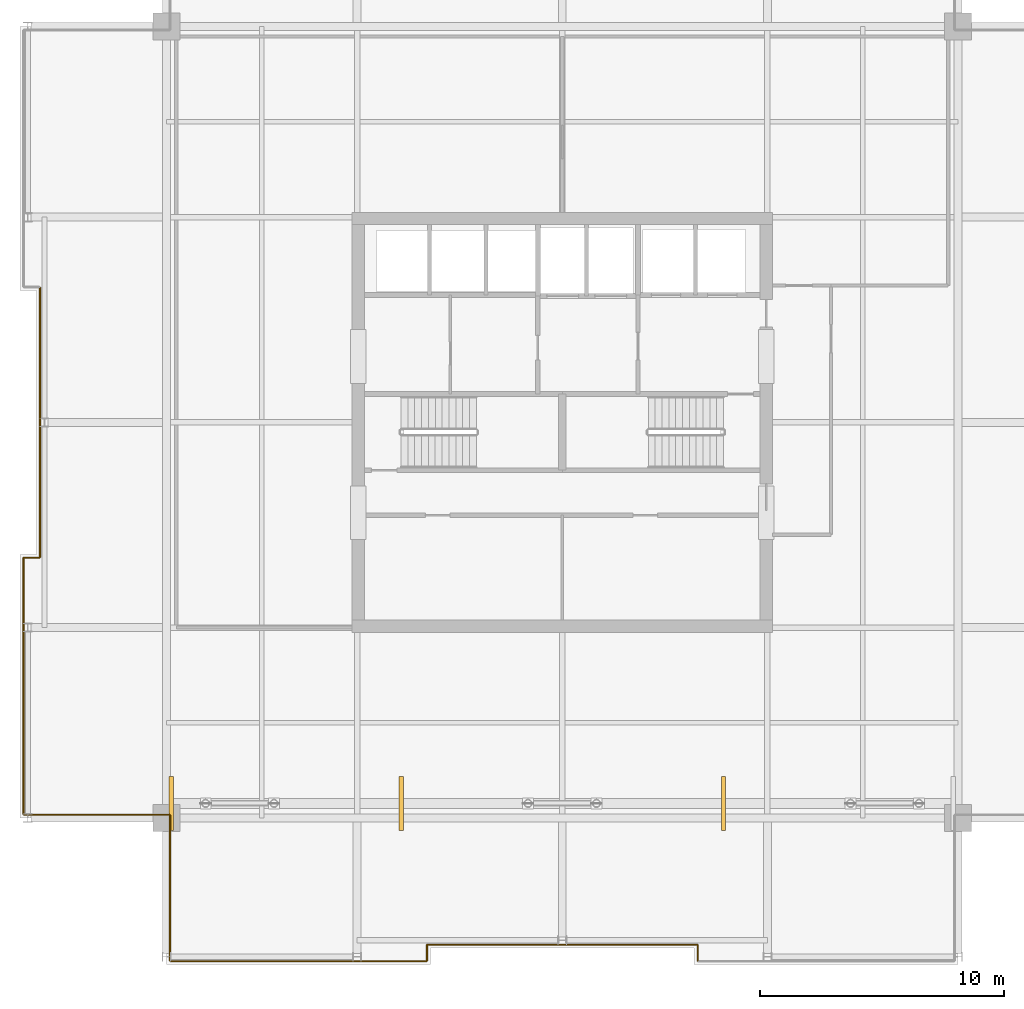
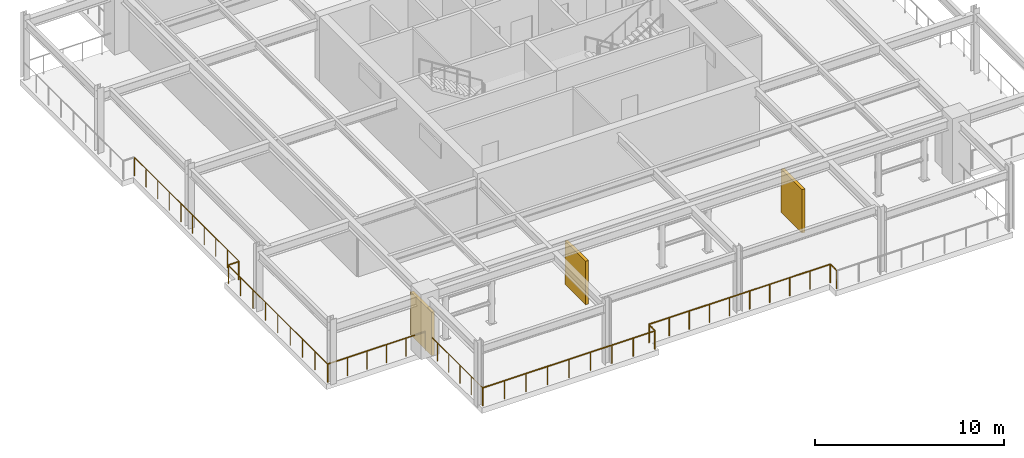
# One storey, part 11 of 13: 9 railings, 3 shading devices.
"""IFC4 building model written with IfcOpenShell, lengths in metres."""

import ifcopenshell
import ifcopenshell.guid

model = None  # the IFC model being written
_history = None  # IfcOwnerHistory: only IFC2X3 demands one
_inside = {}  # id of a spatial element -> (the spatial element, [elements in it])
_under = {}  # id of a project, library or spatial element -> (it, [spatial elements below it])
_declared = {}  # id of a project -> (the project, [libraries it declares])
_typed = {}  # id of a type object -> (the type object, [elements of that type])
_made_of = {}  # id of a material, layer set ... -> (it, [elements and type objects made of it])


def new_model(schema):
    """Start an empty IFC model of exactly this schema.

    Asked for "IFC4X3", IfcOpenShell would pick the latest addendum, in which some entities
    have other attributes; the version numbers below select the first issue.
    IFC2X3 requires an IfcOwnerHistory on every rooted entity: one is made here for all.
    """
    global model, _history
    if schema == "IFC4X3":
        model = ifcopenshell.file(schema_version=(4, 3, 0, 0))
    else:
        model = ifcopenshell.file(schema=schema)
    _inside.clear()
    _under.clear()
    _declared.clear()
    _typed.clear()
    _made_of.clear()
    _history = None
    if model.schema == "IFC2X3":
        org = make("IfcOrganization", Name="unknown")
        user = make(
            "IfcPersonAndOrganization",
            ThePerson=make("IfcPerson", FamilyName="unknown"),
            TheOrganization=org,
        )
        app = make(
            "IfcApplication",
            ApplicationDeveloper=org,
            Version="unknown",
            ApplicationFullName="unknown",
            ApplicationIdentifier="unknown",
        )
        _history = make(
            "IfcOwnerHistory",
            OwningUser=user,
            OwningApplication=app,
            ChangeAction="ADDED",
            CreationDate=0,
        )
    return model


def make(cls, **values):
    """One entity of the class cls with the attributes given. An attribute that is None is left unset."""
    return model.create_entity(
        cls, **{name: value for name, value in values.items() if value is not None}
    )


def rooted(cls, **values):
    """An entity with a GlobalId (a new one), such as an element, a storey or a relation."""
    return make(cls, GlobalId=ifcopenshell.guid.new(), OwnerHistory=_history, **values)


def si_unit(unit_type, name, prefix=None):
    """IfcSIUnit, for example si_unit("LENGTHUNIT", "METRE", prefix="MILLI")."""
    return make("IfcSIUnit", UnitType=unit_type, Prefix=prefix, Name=name)


def assignment(units):
    """IfcUnitAssignment: the units of a project."""
    return None if units is None else make("IfcUnitAssignment", Units=units)


def point(xyz):
    """IfcCartesianPoint."""
    return None if xyz is None else make("IfcCartesianPoint", Coordinates=xyz)


def direction(xyz):
    """IfcDirection."""
    return None if xyz is None else make("IfcDirection", DirectionRatios=xyz)


def frame(location, z_axis=None, x_axis=None):
    """IfcAxis2Placement3D, a coordinate frame: its origin and axes. An axis left out is left unset."""
    return make(
        "IfcAxis2Placement3D",
        Location=point(location),
        Axis=direction(z_axis),
        RefDirection=direction(x_axis),
    )


def frame_2d(location, x_axis=None):
    """IfcAxis2Placement2D, a coordinate frame in the plane: its origin and x axis."""
    return make(
        "IfcAxis2Placement2D", Location=point(location), RefDirection=direction(x_axis)
    )


def origin():
    """The frame at (0, 0, 0) with its axes left unset."""
    return frame((0.0, 0.0, 0.0))


def origin_2d():
    """The frame at (0, 0) in the plane with its x axis left unset."""
    return frame_2d((0.0, 0.0))


def place(relative_to, where):
    """IfcLocalPlacement: puts the frame where relative to a parent placement (None: the world)."""
    return make(
        "IfcLocalPlacement", PlacementRelTo=relative_to, RelativePlacement=where
    )


def context(
    kind, dimensions, precision=None, world=None, true_north=None, identifier=None
):
    """IfcGeometricRepresentationContext, for example the 3D "Model" context."""
    return make(
        "IfcGeometricRepresentationContext",
        ContextIdentifier=identifier,
        ContextType=kind,
        CoordinateSpaceDimension=dimensions,
        Precision=precision,
        WorldCoordinateSystem=world,
        TrueNorth=true_north,
    )


def subcontext(parent, identifier, kind, view, scale=None):
    """IfcGeometricRepresentationSubContext, for example "Body" below "Model"."""
    return make(
        "IfcGeometricRepresentationSubContext",
        ContextIdentifier=identifier,
        ContextType=kind,
        ParentContext=parent,
        TargetScale=scale,
        TargetView=view,
    )


def project(units=None, contexts=None):
    """IfcProject with its units and contexts."""
    return rooted(
        "IfcProject",
        Name="project",
        RepresentationContexts=contexts,
        UnitsInContext=assignment(units),
    )


def spatial(cls, under=None, at=None, **own):
    """A site, building, storey or space (cls), placed at a placement, below another one or the project."""
    s = rooted(cls, ObjectPlacement=at, **own)
    if under is not None:
        _under.setdefault(under.id(), (under, []))[1].append(s)
    return s


def profile(cls, at=None, kind="AREA", **sizes):
    """A parametric profile (cls). Its sizes go by their IFC names, for example OverallWidth=200.0."""
    return make(cls, ProfileType=kind, Position=at, **sizes)


def rectangle(**sizes):
    """IfcRectangleProfileDef."""
    return profile("IfcRectangleProfileDef", **sizes)


def circle(**sizes):
    """IfcCircleProfileDef."""
    return profile("IfcCircleProfileDef", **sizes)


def extrude(swept, where, along, depth):
    """IfcExtrudedAreaSolid: the profile swept, set in the frame where, extruded along a direction by depth."""
    return make(
        "IfcExtrudedAreaSolid",
        SweptArea=swept,
        Position=where,
        ExtrudedDirection=direction(along),
        Depth=depth,
    )


def shape(context_of_items, identifier, shape_type, items):
    """IfcShapeRepresentation: the items that make up one representation, for example the "Body"."""
    return make(
        "IfcShapeRepresentation",
        ContextOfItems=context_of_items,
        RepresentationIdentifier=identifier,
        RepresentationType=shape_type,
        Items=items,
    )


def material(Name=None, Category=None):
    """IfcMaterial."""
    return make("IfcMaterial", Name=Name, Category=Category)


def layer(
    of_material, thickness, ventilated=None, Name=None, Category=None, Priority=None
):
    """IfcMaterialLayer: one layer of a wall or slab, of a material (None: an air gap)."""
    return make(
        "IfcMaterialLayer",
        Material=of_material,
        LayerThickness=thickness,
        IsVentilated=ventilated,
        Name=Name,
        Category=Category,
        Priority=Priority,
    )


def layer_set(layers, Name=None):
    """IfcMaterialLayerSet."""
    return make("IfcMaterialLayerSet", MaterialLayers=layers, LayerSetName=Name)


def made_of(thing, what):
    """Note that an element or type object is made of a material, layer set ...; save() writes the relation."""
    if what is not None:
        _made_of.setdefault(what.id(), (what, []))[1].append(thing)
    return thing


def type_object(cls, material=None, **own):
    """A type object (cls), such as IfcWallType, which elements share."""
    return made_of(rooted(cls, **own), material)


def element(
    cls,
    number,
    at=None,
    inside=None,
    cuts=None,
    type_object=None,
    material=None,
    context=None,
    identifier="Body",
    shape_type=None,
    held_by="IfcProductDefinitionShape",
    body=None,
    shapes=None,
    **own,
):
    """One element of the class cls, such as IfcWall. Its Tag is "e" and its number.

    at: its placement. inside: the storey or other place that contains it. cuts: it is an
    opening in that element (IfcRelVoidsElement). A single representation is given by context,
    identifier, shape_type and body (its items); several are given by shapes. held_by: the class
    of the entity that holds the representations. save() writes the other relations.
    """
    e = rooted(cls, Tag="e%d" % number, ObjectPlacement=at, **own)
    if body is not None:
        shapes = [shape(context, identifier, shape_type, body)]
    if shapes is not None:
        e.Representation = make(held_by, Representations=shapes)
    if inside is not None:
        _inside.setdefault(inside.id(), (inside, []))[1].append(e)
    if cuts is not None:
        rooted(
            "IfcRelVoidsElement", RelatingBuildingElement=cuts, RelatedOpeningElement=e
        )
    if type_object is not None:
        _typed.setdefault(type_object.id(), (type_object, []))[1].append(e)
    return made_of(e, material)


def aggregate(whole, parts):
    """IfcRelAggregates: a whole, such as a stair, and the parts it consists of."""
    return rooted("IfcRelAggregates", RelatingObject=whole, RelatedObjects=parts)


def save(model, path):
    """Write the relations noted so far, then the file.

    IfcRelAggregates (storeys below a building ...), IfcRelContainedInSpatialStructure (elements
    in a storey), IfcRelDefinesByType, IfcRelAssociatesMaterial and IfcRelDeclares: one each for
    every whole, place, type object, material and project.
    """
    for whole, parts in _under.values():
        aggregate(whole, parts)
    for where, things in _inside.values():
        rooted(
            "IfcRelContainedInSpatialStructure",
            RelatedElements=things,
            RelatingStructure=where,
        )
    for kind, things in _typed.values():
        rooted("IfcRelDefinesByType", RelatedObjects=things, RelatingType=kind)
    for what, things in _made_of.values():
        rooted("IfcRelAssociatesMaterial", RelatedObjects=things, RelatingMaterial=what)
    for by, libraries in _declared.values():
        rooted("IfcRelDeclares", RelatingContext=by, RelatedDefinitions=libraries)
    model.write(path)


model = new_model("IFC4")

# Units and contexts
model_context = context("Model", 3, precision=1e-05, world=origin(), true_north=direction((0.0, 1.0)))
body_context = subcontext(model_context, "Body", "Model", "MODEL_VIEW")
ifc_project = project(units=[si_unit("LENGTHUNIT", "METRE"), si_unit("AREAUNIT", "SQUARE_METRE"), si_unit("VOLUMEUNIT", "CUBIC_METRE"), si_unit("PLANEANGLEUNIT", "RADIAN"), si_unit("MASSUNIT", "GRAM", prefix="KILO")], contexts=[model_context])

# Site, building, storey
site_placement = place(None, origin())
site = spatial("IfcSite", under=ifc_project, at=site_placement, CompositionType="ELEMENT")
building_placement = place(site_placement, origin())
building = spatial("IfcBuilding", under=site, at=building_placement, Name="Drelvath Grand Hotel", CompositionType="ELEMENT")
storey_placement = place(building_placement, frame((0.0, 0.0, 303.0)))
storey = spatial("IfcBuildingStorey", under=building, at=storey_placement, Name="L79", CompositionType="ELEMENT", Elevation=303.0)

# Shading devices
ifc_material_1 = material(Name="Pale-Metal Anodised Aluminium Louvre", Category="aluminium")
ifc_layer = layer(ifc_material_1, 0.179931640625)
ifc_layer_set = layer_set([ifc_layer], Name="Pale-Metal Anodised Aluminium Louvre")
shading_device_type = type_object("IfcShadingDeviceType", Name="Mechanical Acoustic Weather Louvre Pale-Metal 180", PredefinedType="USERDEFINED", material=ifc_layer_set)
for number, where, z_axis, x_axis, name in (
    (1, (-16.0, 11.39990234375, 0.0), (0.0, 0.0, 1.0), (1.0, 0.0, 0.0), "L79 Wind-Turbine Acoustic Shroud Louvre 1"),
    (2, (-6.60009765625, 11.39990234375, 0.0), (0.0, 0.0, 1.0), (1.0, 0.0, 0.0), "L79 Wind-Turbine Acoustic Shroud Louvre 2"),
    (3, (6.60009765625, 11.39990234375, 0.0), (0.0, 0.0, 1.0), (1.0, 0.0, 0.0), "L79 Wind-Turbine Acoustic Shroud Louvre 3"),
):
    element("IfcShadingDevice", number, at=place(storey_placement, frame(where, z_axis=z_axis, x_axis=x_axis)), inside=storey, type_object=shading_device_type, Name=name, ObjectType="LOUVRE", PredefinedType="USERDEFINED", context=body_context, shape_type="SweptSolid", body=[
        extrude(rectangle(XDim=0.179931640625, YDim=2.199951171875, at=origin_2d()), origin(), (0.0, 0.0, 1.0), 2.800048828125),
    ])

# Railings
ifc_material_2 = material(Name="Stainless Steel Grade 316 Guardrail", Category="steel")
railing_type = type_object("IfcRailingType", Name="Open Wind-Slot Perimeter Guardrail 1200", PredefinedType="GUARDRAIL", material=ifc_material_2)
railing_1_placement = place(storey_placement, frame((-16.06005859375, 4.9619140625, 0.0)))
element("IfcRailing", 4, at=railing_1_placement, inside=storey, type_object=railing_type, Name="L79 Open Wind-Turbine Deck Perimeter Guardrail E01", PredefinedType="GUARDRAIL", context=body_context, shape_type="SweptSolid", body=[
    extrude(circle(Radius=0.02392578125, at=origin_2d()), frame((0.0, 0.0, 1.17578125), z_axis=(0.0, 1.0, 0.0), x_axis=(-1.0, 0.0, 0.0)), (0.0, 0.0, 1.0), 5.9560546875),
    extrude(circle(Radius=0.02099609375, at=origin_2d()), origin(), (0.0, 0.0, 1.0), 1.15185546875),
    extrude(circle(Radius=0.02099609375, at=origin_2d()), frame((0.0, 1.191162109375, 0.0)), (0.0, 0.0, 1.0), 1.15185546875),
    extrude(circle(Radius=0.02099609375, at=origin_2d()), frame((0.0, 2.38232421875, 0.0)), (0.0, 0.0, 1.0), 1.15185546875),
    extrude(circle(Radius=0.02099609375, at=origin_2d()), frame((0.0, 3.57373046875, 0.0)), (0.0, 0.0, 1.0), 1.15185546875),
    extrude(circle(Radius=0.02099609375, at=origin_2d()), frame((0.0, 4.764892578125, 0.0)), (0.0, 0.0, 1.0), 1.15185546875),
    extrude(circle(Radius=0.02099609375, at=origin_2d()), frame((0.0, 5.9560546875, 0.0)), (0.0, 0.0, 1.0), 1.15185546875),
])
railing_2_placement = place(storey_placement, frame((-16.08203125, 10.93994140625, 0.0)))
element("IfcRailing", 5, at=railing_2_placement, inside=storey, type_object=railing_type, Name="L79 Open Wind-Turbine Deck Perimeter Guardrail E02", PredefinedType="GUARDRAIL", context=body_context, shape_type="SweptSolid", body=[
    extrude(circle(Radius=0.02392578125, at=origin_2d()), frame((0.0, 0.0, 1.17578125), z_axis=(-1.0, 0.0, 0.0), x_axis=(0.0, -1.0, 0.0)), (0.0, 0.0, 1.0), 5.9560546875),
    extrude(circle(Radius=0.02099609375, at=origin_2d()), origin(), (0.0, 0.0, 1.0), 1.15185546875),
    extrude(circle(Radius=0.02099609375, at=origin_2d()), frame((-1.191162109375, 0.0, 0.0)), (0.0, 0.0, 1.0), 1.15185546875),
    extrude(circle(Radius=0.02099609375, at=origin_2d()), frame((-2.38232421875, 0.0, 0.0)), (0.0, 0.0, 1.0), 1.15185546875),
    extrude(circle(Radius=0.02099609375, at=origin_2d()), frame((-3.57373046875, 0.0, 0.0)), (0.0, 0.0, 1.0), 1.15185546875),
    extrude(circle(Radius=0.02099609375, at=origin_2d()), frame((-4.764892578125, 0.0, 0.0)), (0.0, 0.0, 1.0), 1.15185546875),
    extrude(circle(Radius=0.02099609375, at=origin_2d()), frame((-5.9560546875, 0.0, 0.0)), (0.0, 0.0, 1.0), 1.15185546875),
])
railing_3_placement = place(storey_placement, frame((-22.06005859375, 10.9619140625, 0.0)))
element("IfcRailing", 6, at=railing_3_placement, inside=storey, type_object=railing_type, Name="L79 Open Wind-Turbine Deck Perimeter Guardrail E03", PredefinedType="GUARDRAIL", context=body_context, shape_type="SweptSolid", body=[
    extrude(circle(Radius=0.02392578125, at=origin_2d()), frame((0.0, 0.0, 1.17578125), z_axis=(0.0, 1.0, 0.0), x_axis=(-1.0, 0.0, 0.0)), (0.0, 0.0, 1.0), 10.47607421875),
    extrude(circle(Radius=0.02099609375, at=origin_2d()), origin(), (0.0, 0.0, 1.0), 1.15185546875),
    extrude(circle(Radius=0.02099609375, at=origin_2d()), frame((0.0, 1.3095703125, 0.0)), (0.0, 0.0, 1.0), 1.15185546875),
    extrude(circle(Radius=0.02099609375, at=origin_2d()), frame((0.0, 2.619140625, 0.0)), (0.0, 0.0, 1.0), 1.15185546875),
    extrude(circle(Radius=0.02099609375, at=origin_2d()), frame((0.0, 3.928466796875, 0.0)), (0.0, 0.0, 1.0), 1.15185546875),
    extrude(circle(Radius=0.02099609375, at=origin_2d()), frame((0.0, 5.238037109375, 0.0)), (0.0, 0.0, 1.0), 1.15185546875),
    extrude(circle(Radius=0.02099609375, at=origin_2d()), frame((0.0, 6.547607421875, 0.0)), (0.0, 0.0, 1.0), 1.15185546875),
    extrude(circle(Radius=0.02099609375, at=origin_2d()), frame((0.0, 7.85693359375, 0.0)), (0.0, 0.0, 1.0), 1.15185546875),
    extrude(circle(Radius=0.02099609375, at=origin_2d()), frame((0.0, 9.16650390625, 0.0)), (0.0, 0.0, 1.0), 1.15185546875),
    extrude(circle(Radius=0.02099609375, at=origin_2d()), frame((0.0, 10.47607421875, 0.0)), (0.0, 0.0, 1.0), 1.15185546875),
])
railing_4_placement = place(storey_placement, frame((-22.0380859375, 21.4599609375, 0.0)))
element("IfcRailing", 7, at=railing_4_placement, inside=storey, type_object=railing_type, Name="L79 Open Wind-Turbine Deck Perimeter Guardrail E04", PredefinedType="GUARDRAIL", context=body_context, shape_type="SweptSolid", body=[
    extrude(circle(Radius=0.02392578125, at=origin_2d()), frame((0.0, 0.0, 1.17578125), z_axis=(1.0, 0.0, 0.0), x_axis=(0.0, 1.0, 0.0)), (0.0, 0.0, 1.0), 0.635986328125),
    extrude(circle(Radius=0.02099609375, at=origin_2d()), origin(), (0.0, 0.0, 1.0), 1.15185546875),
    extrude(circle(Radius=0.02099609375, at=origin_2d()), frame((0.635986328125, 0.0, 0.0)), (0.0, 0.0, 1.0), 1.15185546875),
])
railing_5_placement = place(storey_placement, frame((-21.3798828125, 21.48193359375, 0.0)))
element("IfcRailing", 8, at=railing_5_placement, inside=storey, type_object=railing_type, Name="L79 Open Wind-Turbine Deck Perimeter Guardrail E05", PredefinedType="GUARDRAIL", context=body_context, shape_type="SweptSolid", body=[
    extrude(circle(Radius=0.02392578125, at=origin_2d()), frame((0.0, 0.0, 1.17578125), z_axis=(0.0, 1.0, 0.0), x_axis=(-1.0, 0.0, 0.0)), (0.0, 0.0, 1.0), 11.0361328125),
    extrude(circle(Radius=0.02099609375, at=origin_2d()), origin(), (0.0, 0.0, 1.0), 1.15185546875),
    extrude(circle(Radius=0.02099609375, at=origin_2d()), frame((0.0, 1.226318359375, 0.0)), (0.0, 0.0, 1.0), 1.15185546875),
    extrude(circle(Radius=0.02099609375, at=origin_2d()), frame((0.0, 2.452392578125, 0.0)), (0.0, 0.0, 1.0), 1.15185546875),
    extrude(circle(Radius=0.02099609375, at=origin_2d()), frame((0.0, 3.6787109375, 0.0)), (0.0, 0.0, 1.0), 1.15185546875),
    extrude(circle(Radius=0.02099609375, at=origin_2d()), frame((0.0, 4.905029296875, 0.0)), (0.0, 0.0, 1.0), 1.15185546875),
    extrude(circle(Radius=0.02099609375, at=origin_2d()), frame((0.0, 6.131103515625, 0.0)), (0.0, 0.0, 1.0), 1.15185546875),
    extrude(circle(Radius=0.02099609375, at=origin_2d()), frame((0.0, 7.357421875, 0.0)), (0.0, 0.0, 1.0), 1.15185546875),
    extrude(circle(Radius=0.02099609375, at=origin_2d()), frame((0.0, 8.583740234375, 0.0)), (0.0, 0.0, 1.0), 1.15185546875),
    extrude(circle(Radius=0.02099609375, at=origin_2d()), frame((0.0, 9.809814453125, 0.0)), (0.0, 0.0, 1.0), 1.15185546875),
    extrude(circle(Radius=0.02099609375, at=origin_2d()), frame((0.0, 11.0361328125, 0.0)), (0.0, 0.0, 1.0), 1.15185546875),
])
railing_6_placement = place(storey_placement, frame((5.5400390625, 4.9619140625, 0.0)))
element("IfcRailing", 9, at=railing_6_placement, inside=storey, type_object=railing_type, Name="L79 Open Wind-Turbine Deck Perimeter Guardrail E25", PredefinedType="GUARDRAIL", context=body_context, shape_type="SweptSolid", body=[
    extrude(circle(Radius=0.02392578125, at=origin_2d()), frame((0.0, 0.0, 1.17578125), z_axis=(0.0, 1.0, 0.0), x_axis=(-1.0, 0.0, 0.0)), (0.0, 0.0, 1.0), 0.635986328125),
    extrude(circle(Radius=0.02099609375, at=origin_2d()), origin(), (0.0, 0.0, 1.0), 1.15185546875),
    extrude(circle(Radius=0.02099609375, at=origin_2d()), frame((0.0, 0.635986328125, 0.0)), (0.0, 0.0, 1.0), 1.15185546875),
])
railing_7_placement = place(storey_placement, frame((5.51806640625, 5.6201171875, 0.0)))
element("IfcRailing", 10, at=railing_7_placement, inside=storey, type_object=railing_type, Name="L79 Open Wind-Turbine Deck Perimeter Guardrail E26", PredefinedType="GUARDRAIL", context=body_context, shape_type="SweptSolid", body=[
    extrude(circle(Radius=0.02392578125, at=origin_2d()), frame((0.0, 0.0, 1.17578125), z_axis=(-1.0, 0.0, 0.0), x_axis=(0.0, -1.0, 0.0)), (0.0, 0.0, 1.0), 11.0361328125),
    extrude(circle(Radius=0.02099609375, at=origin_2d()), origin(), (0.0, 0.0, 1.0), 1.15185546875),
    extrude(circle(Radius=0.02099609375, at=origin_2d()), frame((-1.226318359375, 0.0, 0.0)), (0.0, 0.0, 1.0), 1.15185546875),
    extrude(circle(Radius=0.02099609375, at=origin_2d()), frame((-2.452392578125, 0.0, 0.0)), (0.0, 0.0, 1.0), 1.15185546875),
    extrude(circle(Radius=0.02099609375, at=origin_2d()), frame((-3.6787109375, 0.0, 0.0)), (0.0, 0.0, 1.0), 1.15185546875),
    extrude(circle(Radius=0.02099609375, at=origin_2d()), frame((-4.905029296875, 0.0, 0.0)), (0.0, 0.0, 1.0), 1.15185546875),
    extrude(circle(Radius=0.02099609375, at=origin_2d()), frame((-6.131103515625, 0.0, 0.0)), (0.0, 0.0, 1.0), 1.15185546875),
    extrude(circle(Radius=0.02099609375, at=origin_2d()), frame((-7.357421875, 0.0, 0.0)), (0.0, 0.0, 1.0), 1.15185546875),
    extrude(circle(Radius=0.02099609375, at=origin_2d()), frame((-8.583740234375, 0.0, 0.0)), (0.0, 0.0, 1.0), 1.15185546875),
    extrude(circle(Radius=0.02099609375, at=origin_2d()), frame((-9.809814453125, 0.0, 0.0)), (0.0, 0.0, 1.0), 1.15185546875),
    extrude(circle(Radius=0.02099609375, at=origin_2d()), frame((-11.0361328125, 0.0, 0.0)), (0.0, 0.0, 1.0), 1.15185546875),
])
railing_8_placement = place(storey_placement, frame((-5.5400390625, 5.597900390625, 0.0)))
element("IfcRailing", 11, at=railing_8_placement, inside=storey, type_object=railing_type, Name="L79 Open Wind-Turbine Deck Perimeter Guardrail E27", PredefinedType="GUARDRAIL", context=body_context, shape_type="SweptSolid", body=[
    extrude(circle(Radius=0.02392578125, at=origin_2d()), frame((0.0, 0.0, 1.17578125), z_axis=(0.0, -1.0, 0.0), x_axis=(1.0, 0.0, 0.0)), (0.0, 0.0, 1.0), 0.635986328125),
    extrude(circle(Radius=0.02099609375, at=origin_2d()), origin(), (0.0, 0.0, 1.0), 1.15185546875),
    extrude(circle(Radius=0.02099609375, at=origin_2d()), frame((0.0, -0.635986328125, 0.0)), (0.0, 0.0, 1.0), 1.15185546875),
])
railing_9_placement = place(storey_placement, frame((-5.56201171875, 4.93994140625, 0.0)))
element("IfcRailing", 12, at=railing_9_placement, inside=storey, type_object=railing_type, Name="L79 Open Wind-Turbine Deck Perimeter Guardrail E28", PredefinedType="GUARDRAIL", context=body_context, shape_type="SweptSolid", body=[
    extrude(circle(Radius=0.02392578125, at=origin_2d()), frame((0.0, 0.0, 1.17578125), z_axis=(-1.0, 0.0, 0.0), x_axis=(0.0, -1.0, 0.0)), (0.0, 0.0, 1.0), 10.47607421875),
    extrude(circle(Radius=0.02099609375, at=origin_2d()), origin(), (0.0, 0.0, 1.0), 1.15185546875),
    extrude(circle(Radius=0.02099609375, at=origin_2d()), frame((-1.3095703125, 0.0, 0.0)), (0.0, 0.0, 1.0), 1.15185546875),
    extrude(circle(Radius=0.02099609375, at=origin_2d()), frame((-2.619140625, 0.0, 0.0)), (0.0, 0.0, 1.0), 1.15185546875),
    extrude(circle(Radius=0.02099609375, at=origin_2d()), frame((-3.928466796875, 0.0, 0.0)), (0.0, 0.0, 1.0), 1.15185546875),
    extrude(circle(Radius=0.02099609375, at=origin_2d()), frame((-5.238037109375, 0.0, 0.0)), (0.0, 0.0, 1.0), 1.15185546875),
    extrude(circle(Radius=0.02099609375, at=origin_2d()), frame((-6.547607421875, 0.0, 0.0)), (0.0, 0.0, 1.0), 1.15185546875),
    extrude(circle(Radius=0.02099609375, at=origin_2d()), frame((-7.85693359375, 0.0, 0.0)), (0.0, 0.0, 1.0), 1.15185546875),
    extrude(circle(Radius=0.02099609375, at=origin_2d()), frame((-9.16650390625, 0.0, 0.0)), (0.0, 0.0, 1.0), 1.15185546875),
    extrude(circle(Radius=0.02099609375, at=origin_2d()), frame((-10.47607421875, 0.0, 0.0)), (0.0, 0.0, 1.0), 1.15185546875),
])

save(model, "model.ifc")
